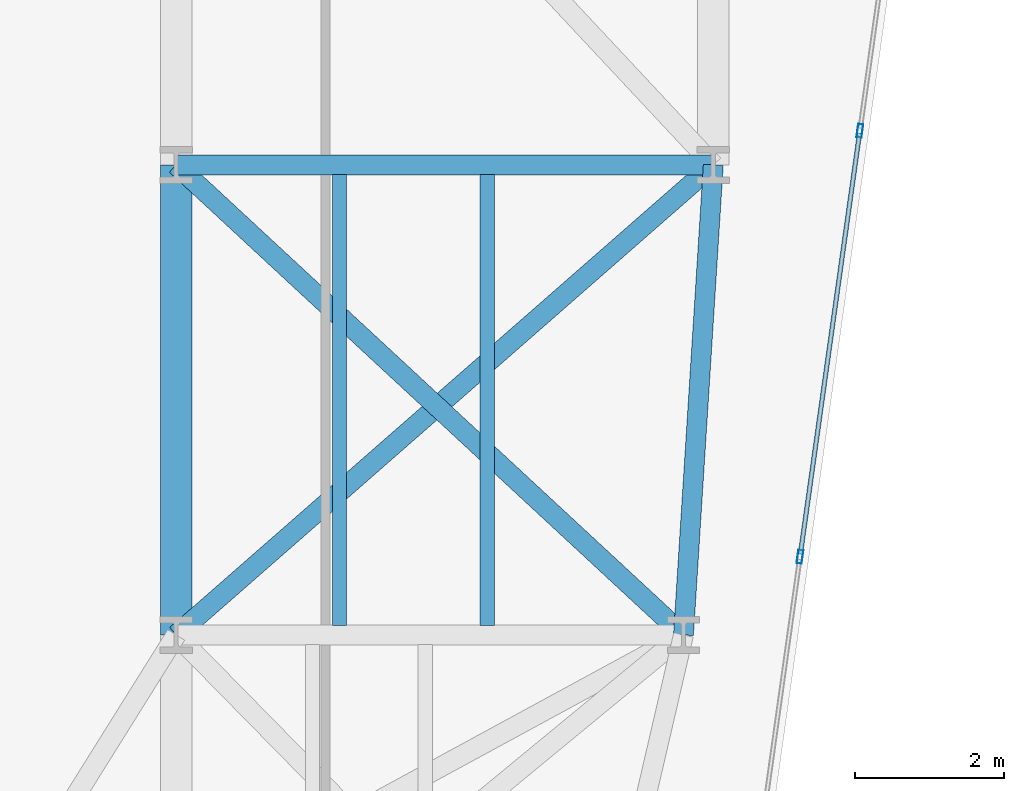
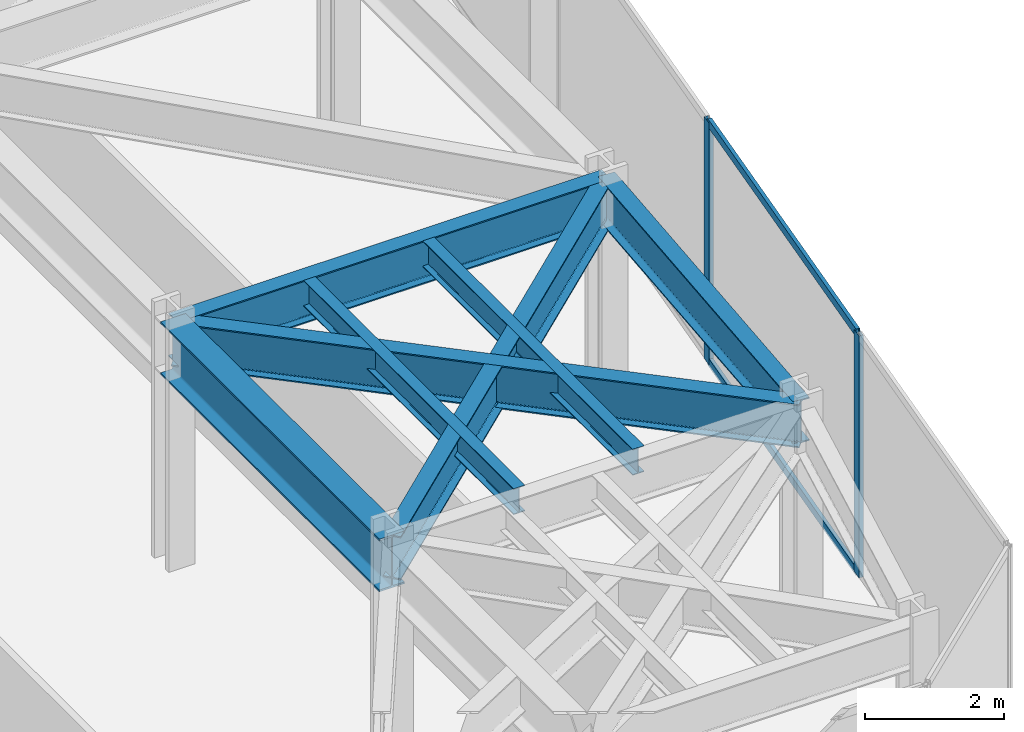
# One storey, part 14 of 28: 7 beams, 4 members, 1 element without a shape of its own.
"""IFC4 building model written with IfcOpenShell, lengths in metres."""

from ifc_helpers import new_model, si_unit, direction, frame, origin, origin_2d, place, context, subcontext, project, spatial, hollow_rectangle, i_section, extrude, material, layer, layer_set, material_profile, profile_set, type_object, element, aggregate, save


model = new_model("IFC4")

# Units and contexts
model_context = context("Model", 3, precision=1e-05, world=origin(), true_north=direction((0.0, 1.0)))
body_context = subcontext(model_context, "Body", "Model", "MODEL_VIEW")
ifc_project = project(units=[si_unit("LENGTHUNIT", "METRE"), si_unit("AREAUNIT", "SQUARE_METRE"), si_unit("VOLUMEUNIT", "CUBIC_METRE"), si_unit("PLANEANGLEUNIT", "RADIAN"), si_unit("MASSUNIT", "GRAM", prefix="KILO")], contexts=[model_context])

# Site, building, storey
site_placement = place(None, origin())
site = spatial("IfcSite", under=ifc_project, at=site_placement, CompositionType="ELEMENT")
building_placement = place(site_placement, origin())
building = spatial("IfcBuilding", under=site, at=building_placement, Name="Kravanh Interchange Tower", CompositionType="ELEMENT")
storey_placement = place(building_placement, frame((0.0, 0.0, 91.5)))
storey = spatial("IfcBuildingStorey", under=building, at=storey_placement, Name="L21", CompositionType="ELEMENT", Elevation=91.5)

# Curtain wall, members
ifc_material_1 = material(Name="Anodised Bronze Aluminium", Category="aluminium")
ifc_layer = layer(ifc_material_1, 0.179931640625)
ifc_layer_set = layer_set([ifc_layer], Name="Unitised Curtain Wall System CW-SKY Sky Observatory")
curtain_wall_type = type_object("IfcCurtainWallType", Name="Unitised Curtain Wall System CW-SKY Sky Observatory", PredefinedType="NOTDEFINED", material=ifc_layer_set)
curtain_wall_placement = place(storey_placement, origin())
curtain_wall = element("IfcCurtainWall", 1, at=curtain_wall_placement, inside=storey, type_object=curtain_wall_type, Name="L21 Unitised Curtain Wall CW-L21-02", PredefinedType="NOTDEFINED")
ifc_material_2 = material(Name="Anodised Bronze Aluminium", Category="aluminium")
ifc_material_profile_1 = material_profile(ifc_material_2, hollow_rectangle(XDim=0.070068359375, YDim=0.179931640625, WallThickness=0.00390625, at=origin_2d()), Name="ALU70X180X4")
ifc_profile_set_1 = profile_set([ifc_material_profile_1], Name="Anodised Bronze Aluminium")
member_type_1 = type_object("IfcMemberType", Name="Curtain Wall Mullion ALU70X180X4 Bronze", PredefinedType="MULLION", material=ifc_profile_set_1)
member_1_placement = place(storey_placement, frame((65.164794921875, 14.957763671875, 0.0), z_axis=(0.0, 0.0, 1.0), x_axis=(0.990267585682, -0.139176538065, 0.0)))
member_1 = element("IfcMember", 2, at=member_1_placement, type_object=member_type_1, Name="CW-SKY mullion 5", PredefinedType="MULLION", context=body_context, shape_type="SweptSolid", body=[
    extrude(hollow_rectangle(XDim=0.070068359375, YDim=0.179931640625, WallThickness=0.00390625, at=origin_2d()), origin(), (0.0, 0.0, 1.0), 4.25),
])
member_2_placement = place(storey_placement, frame((64.3623046875, 9.247314453125, 0.0), z_axis=(0.0, 0.0, 1.0), x_axis=(0.990267585682, -0.139176538065, 0.0)))
member_2 = element("IfcMember", 3, at=member_2_placement, type_object=member_type_1, Name="CW-SKY mullion 6", PredefinedType="MULLION", context=body_context, shape_type="SweptSolid", body=[
    extrude(hollow_rectangle(XDim=0.070068359375, YDim=0.179931640625, WallThickness=0.00390625, at=origin_2d()), origin(), (0.0, 0.0, 1.0), 4.25),
])
ifc_material_3 = material(Name="Anodised Bronze Aluminium", Category="aluminium")
ifc_material_profile_2 = material_profile(ifc_material_3, hollow_rectangle(XDim=0.06005859375, YDim=0.139892578125, WallThickness=0.00390625, at=origin_2d()), Name="ALU60X140X4")
ifc_profile_set_2 = profile_set([ifc_material_profile_2], Name="Anodised Bronze Aluminium")
member_type_2 = type_object("IfcMemberType", Name="Curtain Wall Transom ALU60X140X4 Bronze", PredefinedType="USERDEFINED", material=ifc_profile_set_2)
member_3_placement = place(storey_placement, frame((65.159912109375, 14.923095703125, 0.030029296875), z_axis=(-0.139200984921, -0.990264149506, 0.0), x_axis=(0.990264149506, -0.139200984921, 0.0)))
member_3 = element("IfcMember", 4, at=member_3_placement, type_object=member_type_2, Name="CW-SKY transom 5.1", ObjectType="TRANSOM", PredefinedType="USERDEFINED", context=body_context, shape_type="SweptSolid", body=[
    extrude(hollow_rectangle(XDim=0.06005859375, YDim=0.139892578125, WallThickness=0.00390625, at=origin_2d()), origin(), (0.0, 0.0, 1.0), 5.696533203125),
])
member_4_placement = place(storey_placement, frame((65.159912109375, 14.923095703125, 4.219970703125), z_axis=(-0.139200984921, -0.990264149506, 0.0), x_axis=(0.990264149506, -0.139200984921, 0.0)))
member_4 = element("IfcMember", 5, at=member_4_placement, type_object=member_type_2, Name="CW-SKY transom 5.2", ObjectType="TRANSOM", PredefinedType="USERDEFINED", context=body_context, shape_type="SweptSolid", body=[
    extrude(hollow_rectangle(XDim=0.06005859375, YDim=0.139892578125, WallThickness=0.00390625, at=origin_2d()), origin(), (0.0, 0.0, 1.0), 5.696533203125),
])
aggregate(curtain_wall, [member_1, member_2, member_3, member_4])

# Beams
ifc_material_4 = material(Name="Structural Steel S355", Category="steel")
ifc_material_profile_3 = material_profile(ifc_material_4, i_section(OverallWidth=0.41796875, OverallDepth=0.927001953125, WebThickness=0.019287109375, FlangeThickness=0.031982421875, FilletRadius=0.028076171875, at=origin_2d()), Name="W36X231")
ifc_profile_set_3 = profile_set([ifc_material_profile_3], Name="Structural Steel S355")
beam_type_1 = type_object("IfcBeamType", Name="Floor Beam W36X231 Structural Steel S355", PredefinedType="BEAM", material=ifc_profile_set_3)
beam_1_placement = place(storey_placement, frame((56.0, 14.5, 3.78662109375), z_axis=(0.0, -1.0, 0.0), x_axis=(1.0, 0.0, 0.0)))
element("IfcBeam", 6, at=beam_1_placement, inside=storey, type_object=beam_type_1, Name="L21 Primary Floor Girder 42", PredefinedType="BEAM", context=body_context, shape_type="SweptSolid", body=[
    extrude(i_section(OverallWidth=0.41796875, OverallDepth=0.927001953125, WebThickness=0.019287109375, FlangeThickness=0.031982421875, FilletRadius=0.028076171875, at=origin_2d()), origin(), (0.0, 0.0, 1.0), 6.300048828125),
])
ifc_material_5 = material(Name="Structural Steel S355", Category="steel")
ifc_material_profile_4 = material_profile(ifc_material_5, i_section(OverallWidth=0.18994140625, OverallDepth=0.45703125, WebThickness=0.009033203125, FlangeThickness=0.014404296875, FilletRadius=0.01806640625, at=origin_2d()), Name="W18X50")
ifc_profile_set_4 = profile_set([ifc_material_profile_4], Name="Structural Steel S355")
beam_type_2 = type_object("IfcBeamType", Name="Floor Joist W18X50 Structural Steel S355", PredefinedType="JOIST", material=ifc_profile_set_4)
for number, where, z_axis, x_axis, name in (
    (7, (58.18994140625, 8.32861328125, 4.021484375), (0.0, 1.0, 0.0), (-1.0, 0.0, 0.0), "L21 Secondary Floor Joist 11"),
    (8, (60.169921875, 8.32861328125, 4.021484375), (0.0, 1.0, 0.0), (-1.0, 0.0, 0.0), "L21 Secondary Floor Joist 12"),
):
    element("IfcBeam", number, at=place(storey_placement, frame(where, z_axis=z_axis, x_axis=x_axis)), inside=storey, type_object=beam_type_2, Name=name, PredefinedType="JOIST", context=body_context, shape_type="SweptSolid", body=[
        extrude(i_section(OverallWidth=0.18994140625, OverallDepth=0.45703125, WebThickness=0.009033203125, FlangeThickness=0.014404296875, FilletRadius=0.01806640625, at=origin_2d()), origin(), (0.0, 0.0, 1.0), 6.04296875),
    ])
ifc_material_6 = material(Name="Structural Steel S355", Category="steel")
ifc_material_profile_5 = material_profile(ifc_material_6, i_section(OverallWidth=0.26708984375, OverallDepth=0.761962890625, WebThickness=0.014404296875, FlangeThickness=0.021484375, FilletRadius=0.02490234375, at=origin_2d()), Name="W30X116")
ifc_profile_set_5 = profile_set([ifc_material_profile_5], Name="Structural Steel S355")
beam_type_3 = type_object("IfcBeamType", Name="Floor Spandrel W30X116 Structural Steel S355", PredefinedType="SPANDREL", material=ifc_profile_set_5)
beam_2_placement = place(storey_placement, frame((56.0, 14.5, 3.868896484375), z_axis=(1.0, 0.0, 0.0), x_axis=(0.0, 1.0, 0.0)))
element("IfcBeam", 9, at=beam_2_placement, inside=storey, type_object=beam_type_3, Name="L21 Perimeter Spandrel 43", PredefinedType="SPANDREL", context=body_context, shape_type="SweptSolid", body=[
    extrude(i_section(OverallWidth=0.26708984375, OverallDepth=0.761962890625, WebThickness=0.014404296875, FlangeThickness=0.021484375, FilletRadius=0.02490234375, at=origin_2d()), origin(), (0.0, 0.0, 1.0), 7.199951171875),
])
beam_3_placement = place(storey_placement, frame((56.0, 14.5, 3.868896484375), z_axis=(0.733561267923, -0.679623326706, 0.0), x_axis=(0.679623326706, 0.733561267923, 0.0)))
element("IfcBeam", 10, at=beam_3_placement, inside=storey, type_object=beam_type_3, Name="L21 Perimeter Spandrel 45", PredefinedType="SPANDREL", context=body_context, shape_type="SweptSolid", body=[
    extrude(i_section(OverallWidth=0.26708984375, OverallDepth=0.761962890625, WebThickness=0.014404296875, FlangeThickness=0.021484375, FilletRadius=0.02490234375, at=origin_2d()), origin(), (0.0, 0.0, 1.0), 9.27001953125),
])
beam_4_placement = place(storey_placement, frame((63.199951171875, 14.5, 3.868896484375), z_axis=(-0.063348576418, -0.99799146182, 0.0), x_axis=(0.99799146182, -0.063348576418, 0.0)))
element("IfcBeam", 11, at=beam_4_placement, inside=storey, type_object=beam_type_3, Name="L21 Perimeter Spandrel 46", PredefinedType="SPANDREL", context=body_context, shape_type="SweptSolid", body=[
    extrude(i_section(OverallWidth=0.26708984375, OverallDepth=0.761962890625, WebThickness=0.014404296875, FlangeThickness=0.021484375, FilletRadius=0.02490234375, at=origin_2d()), origin(), (0.0, 0.0, 1.0), 6.312744140625),
])
beam_5_placement = place(storey_placement, frame((63.199951171875, 14.5, 3.868896484375), z_axis=(-0.752571952274, -0.658510027752, 0.0), x_axis=(0.658510027752, -0.752571952274, 0.0)))
element("IfcBeam", 12, at=beam_5_placement, inside=storey, type_object=beam_type_3, Name="L21 Perimeter Spandrel 48", PredefinedType="SPANDREL", context=body_context, shape_type="SweptSolid", body=[
    extrude(i_section(OverallWidth=0.26708984375, OverallDepth=0.761962890625, WebThickness=0.014404296875, FlangeThickness=0.021484375, FilletRadius=0.02490234375, at=origin_2d()), origin(), (0.0, 0.0, 1.0), 9.567138671875),
])

save(model, "model.ifc")
